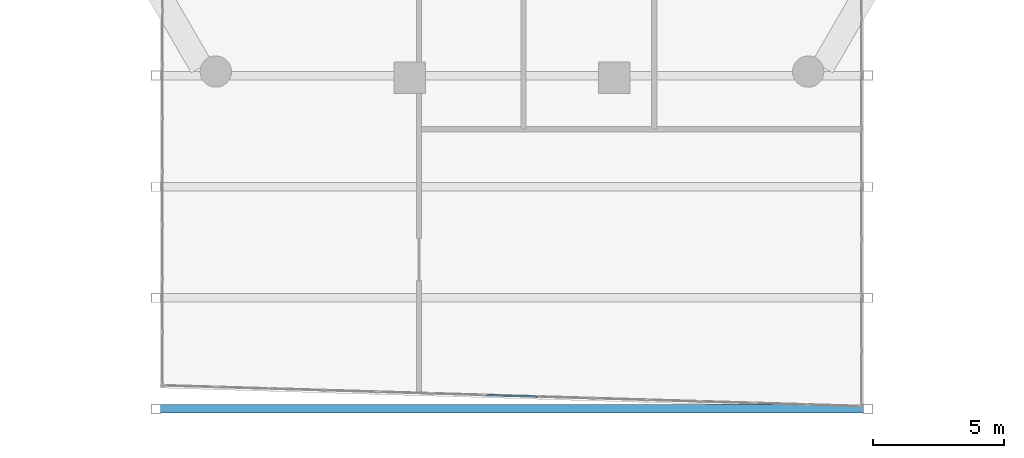
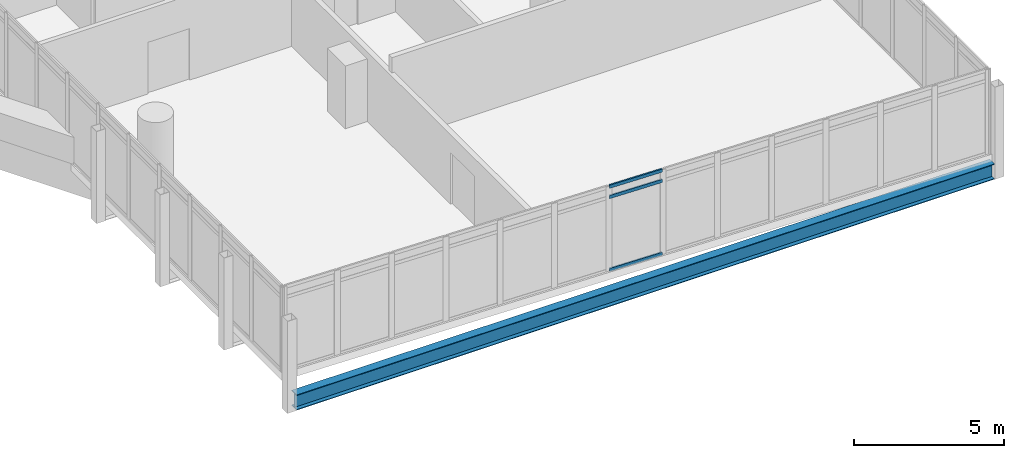
# One storey, part 4 of 38: 3 members, 1 beam, 1 element without a shape of its own.
"""IFC4 building model written with IfcOpenShell, lengths in metres."""

import ifcopenshell
import ifcopenshell.guid

model = None  # the IFC model being written
_history = None  # IfcOwnerHistory: only IFC2X3 demands one
_inside = {}  # id of a spatial element -> (the spatial element, [elements in it])
_under = {}  # id of a project, library or spatial element -> (it, [spatial elements below it])
_declared = {}  # id of a project -> (the project, [libraries it declares])
_typed = {}  # id of a type object -> (the type object, [elements of that type])
_made_of = {}  # id of a material, layer set ... -> (it, [elements and type objects made of it])


def new_model(schema):
    """Start an empty IFC model of exactly this schema.

    Asked for "IFC4X3", IfcOpenShell would pick the latest addendum, in which some entities
    have other attributes; the version numbers below select the first issue.
    IFC2X3 requires an IfcOwnerHistory on every rooted entity: one is made here for all.
    """
    global model, _history
    if schema == "IFC4X3":
        model = ifcopenshell.file(schema_version=(4, 3, 0, 0))
    else:
        model = ifcopenshell.file(schema=schema)
    _inside.clear()
    _under.clear()
    _declared.clear()
    _typed.clear()
    _made_of.clear()
    _history = None
    if model.schema == "IFC2X3":
        org = make("IfcOrganization", Name="unknown")
        user = make(
            "IfcPersonAndOrganization",
            ThePerson=make("IfcPerson", FamilyName="unknown"),
            TheOrganization=org,
        )
        app = make(
            "IfcApplication",
            ApplicationDeveloper=org,
            Version="unknown",
            ApplicationFullName="unknown",
            ApplicationIdentifier="unknown",
        )
        _history = make(
            "IfcOwnerHistory",
            OwningUser=user,
            OwningApplication=app,
            ChangeAction="ADDED",
            CreationDate=0,
        )
    return model


def make(cls, **values):
    """One entity of the class cls with the attributes given. An attribute that is None is left unset."""
    return model.create_entity(
        cls, **{name: value for name, value in values.items() if value is not None}
    )


def rooted(cls, **values):
    """An entity with a GlobalId (a new one), such as an element, a storey or a relation."""
    return make(cls, GlobalId=ifcopenshell.guid.new(), OwnerHistory=_history, **values)


def si_unit(unit_type, name, prefix=None):
    """IfcSIUnit, for example si_unit("LENGTHUNIT", "METRE", prefix="MILLI")."""
    return make("IfcSIUnit", UnitType=unit_type, Prefix=prefix, Name=name)


def assignment(units):
    """IfcUnitAssignment: the units of a project."""
    return None if units is None else make("IfcUnitAssignment", Units=units)


def point(xyz):
    """IfcCartesianPoint."""
    return None if xyz is None else make("IfcCartesianPoint", Coordinates=xyz)


def direction(xyz):
    """IfcDirection."""
    return None if xyz is None else make("IfcDirection", DirectionRatios=xyz)


def frame(location, z_axis=None, x_axis=None):
    """IfcAxis2Placement3D, a coordinate frame: its origin and axes. An axis left out is left unset."""
    return make(
        "IfcAxis2Placement3D",
        Location=point(location),
        Axis=direction(z_axis),
        RefDirection=direction(x_axis),
    )


def frame_2d(location, x_axis=None):
    """IfcAxis2Placement2D, a coordinate frame in the plane: its origin and x axis."""
    return make(
        "IfcAxis2Placement2D", Location=point(location), RefDirection=direction(x_axis)
    )


def origin():
    """The frame at (0, 0, 0) with its axes left unset."""
    return frame((0.0, 0.0, 0.0))


def origin_2d():
    """The frame at (0, 0) in the plane with its x axis left unset."""
    return frame_2d((0.0, 0.0))


def place(relative_to, where):
    """IfcLocalPlacement: puts the frame where relative to a parent placement (None: the world)."""
    return make(
        "IfcLocalPlacement", PlacementRelTo=relative_to, RelativePlacement=where
    )


def context(
    kind, dimensions, precision=None, world=None, true_north=None, identifier=None
):
    """IfcGeometricRepresentationContext, for example the 3D "Model" context."""
    return make(
        "IfcGeometricRepresentationContext",
        ContextIdentifier=identifier,
        ContextType=kind,
        CoordinateSpaceDimension=dimensions,
        Precision=precision,
        WorldCoordinateSystem=world,
        TrueNorth=true_north,
    )


def subcontext(parent, identifier, kind, view, scale=None):
    """IfcGeometricRepresentationSubContext, for example "Body" below "Model"."""
    return make(
        "IfcGeometricRepresentationSubContext",
        ContextIdentifier=identifier,
        ContextType=kind,
        ParentContext=parent,
        TargetScale=scale,
        TargetView=view,
    )


def project(units=None, contexts=None):
    """IfcProject with its units and contexts."""
    return rooted(
        "IfcProject",
        Name="project",
        RepresentationContexts=contexts,
        UnitsInContext=assignment(units),
    )


def spatial(cls, under=None, at=None, **own):
    """A site, building, storey or space (cls), placed at a placement, below another one or the project."""
    s = rooted(cls, ObjectPlacement=at, **own)
    if under is not None:
        _under.setdefault(under.id(), (under, []))[1].append(s)
    return s


def profile(cls, at=None, kind="AREA", **sizes):
    """A parametric profile (cls). Its sizes go by their IFC names, for example OverallWidth=200.0."""
    return make(cls, ProfileType=kind, Position=at, **sizes)


def hollow_rectangle(**sizes):
    """IfcRectangleHollowProfileDef."""
    return profile("IfcRectangleHollowProfileDef", **sizes)


def i_section(**sizes):
    """IfcIShapeProfileDef."""
    return profile("IfcIShapeProfileDef", **sizes)


def extrude(swept, where, along, depth):
    """IfcExtrudedAreaSolid: the profile swept, set in the frame where, extruded along a direction by depth."""
    return make(
        "IfcExtrudedAreaSolid",
        SweptArea=swept,
        Position=where,
        ExtrudedDirection=direction(along),
        Depth=depth,
    )


def shape(context_of_items, identifier, shape_type, items):
    """IfcShapeRepresentation: the items that make up one representation, for example the "Body"."""
    return make(
        "IfcShapeRepresentation",
        ContextOfItems=context_of_items,
        RepresentationIdentifier=identifier,
        RepresentationType=shape_type,
        Items=items,
    )


def material(Name=None, Category=None):
    """IfcMaterial."""
    return make("IfcMaterial", Name=Name, Category=Category)


def material_profile(
    of_material, cross_section, Name=None, Category=None, Priority=None
):
    """IfcMaterialProfile: a cross section and its material."""
    return make(
        "IfcMaterialProfile",
        Name=Name,
        Material=of_material,
        Profile=cross_section,
        Priority=Priority,
        Category=Category,
    )


def profile_set(profiles, Name=None, composite=None):
    """IfcMaterialProfileSet."""
    return make(
        "IfcMaterialProfileSet",
        Name=Name,
        MaterialProfiles=profiles,
        CompositeProfile=composite,
    )


def made_of(thing, what):
    """Note that an element or type object is made of a material, layer set ...; save() writes the relation."""
    if what is not None:
        _made_of.setdefault(what.id(), (what, []))[1].append(thing)
    return thing


def type_object(cls, material=None, **own):
    """A type object (cls), such as IfcWallType, which elements share."""
    return made_of(rooted(cls, **own), material)


def element(
    cls,
    number,
    at=None,
    inside=None,
    cuts=None,
    type_object=None,
    material=None,
    context=None,
    identifier="Body",
    shape_type=None,
    held_by="IfcProductDefinitionShape",
    body=None,
    shapes=None,
    **own,
):
    """One element of the class cls, such as IfcWall. Its Tag is "e" and its number.

    at: its placement. inside: the storey or other place that contains it. cuts: it is an
    opening in that element (IfcRelVoidsElement). A single representation is given by context,
    identifier, shape_type and body (its items); several are given by shapes. held_by: the class
    of the entity that holds the representations. save() writes the other relations.
    """
    e = rooted(cls, Tag="e%d" % number, ObjectPlacement=at, **own)
    if body is not None:
        shapes = [shape(context, identifier, shape_type, body)]
    if shapes is not None:
        e.Representation = make(held_by, Representations=shapes)
    if inside is not None:
        _inside.setdefault(inside.id(), (inside, []))[1].append(e)
    if cuts is not None:
        rooted(
            "IfcRelVoidsElement", RelatingBuildingElement=cuts, RelatedOpeningElement=e
        )
    if type_object is not None:
        _typed.setdefault(type_object.id(), (type_object, []))[1].append(e)
    return made_of(e, material)


def aggregate(whole, parts):
    """IfcRelAggregates: a whole, such as a stair, and the parts it consists of."""
    return rooted("IfcRelAggregates", RelatingObject=whole, RelatedObjects=parts)


def save(model, path):
    """Write the relations noted so far, then the file.

    IfcRelAggregates (storeys below a building ...), IfcRelContainedInSpatialStructure (elements
    in a storey), IfcRelDefinesByType, IfcRelAssociatesMaterial and IfcRelDeclares: one each for
    every whole, place, type object, material and project.
    """
    for whole, parts in _under.values():
        aggregate(whole, parts)
    for where, things in _inside.values():
        rooted(
            "IfcRelContainedInSpatialStructure",
            RelatedElements=things,
            RelatingStructure=where,
        )
    for kind, things in _typed.values():
        rooted("IfcRelDefinesByType", RelatedObjects=things, RelatingType=kind)
    for what, things in _made_of.values():
        rooted("IfcRelAssociatesMaterial", RelatedObjects=things, RelatingMaterial=what)
    for by, libraries in _declared.values():
        rooted("IfcRelDeclares", RelatingContext=by, RelatedDefinitions=libraries)
    model.write(path)


model = new_model("IFC4")

# Units and contexts
model_context = context("Model", 3, precision=1e-05, world=origin(), true_north=direction((0.0, 1.0)))
body_context = subcontext(model_context, "Body", "Model", "MODEL_VIEW")
ifc_project = project(units=[si_unit("LENGTHUNIT", "METRE"), si_unit("AREAUNIT", "SQUARE_METRE"), si_unit("VOLUMEUNIT", "CUBIC_METRE"), si_unit("PLANEANGLEUNIT", "RADIAN"), si_unit("MASSUNIT", "GRAM", prefix="KILO")], contexts=[model_context])

# Site, building, storey
site_placement = place(None, origin())
site = spatial("IfcSite", under=ifc_project, at=site_placement, CompositionType="ELEMENT")
building_placement = place(site_placement, origin())
building = spatial("IfcBuilding", under=site, at=building_placement, Name="Ostrander Bayou Hotel Tower", CompositionType="ELEMENT")
storey_placement = place(building_placement, frame((0.0, 0.0, 96.75)))
storey = spatial("IfcBuildingStorey", under=building, at=storey_placement, Name="L24", CompositionType="ELEMENT", Elevation=96.75)

# Curtain wall, members
ifc_material_1 = material(Name="Aluminium and clear glass", Category="aluminium")
curtain_wall_type = type_object("IfcCurtainWallType", Name="CW-BAR glazed wall", PredefinedType="NOTDEFINED", material=ifc_material_1)
curtain_wall_placement = place(storey_placement, origin())
curtain_wall = element("IfcCurtainWall", 1, at=curtain_wall_placement, inside=storey, type_object=curtain_wall_type, Name="CW-BAR L24:SB2S:T", PredefinedType="NOTDEFINED")
ifc_material_2 = material(Name="Aluminium", Category="aluminium")
ifc_material_profile_1 = material_profile(ifc_material_2, hollow_rectangle(XDim=0.06005859375, YDim=0.1298828125, WallThickness=0.00390625, at=origin_2d()))
ifc_profile_set_1 = profile_set([ifc_material_profile_1], Name="Aluminium")
member_type = type_object("IfcMemberType", Name="CW-BR transom 60 x 130 mm", PredefinedType="USERDEFINED", material=ifc_profile_set_1)
member_1_placement = place(storey_placement, frame((-0.998291015625, -31.67041015625, 0.030029296875), z_axis=(0.999558835181, -0.029700757758, 0.0), x_axis=(0.029700757758, 0.999558835181, 0.0)))
member_1 = element("IfcMember", 2, at=member_1_placement, type_object=member_type, Name="CW-BAR transom 7.1", ObjectType="TRANSOM", PredefinedType="USERDEFINED", context=body_context, shape_type="SweptSolid", body=[
    extrude(hollow_rectangle(XDim=0.06005859375, YDim=0.1298828125, WallThickness=0.00390625, at=origin_2d()), origin(), (0.0, 0.0, 1.0), 1.99755859375),
])
member_2_placement = place(storey_placement, frame((-0.998291015625, -31.67041015625, 3.0), z_axis=(0.999558835181, -0.029700757758, 0.0), x_axis=(0.029700757758, 0.999558835181, 0.0)))
member_2 = element("IfcMember", 3, at=member_2_placement, type_object=member_type, Name="CW-BAR transom 7.2", ObjectType="TRANSOM", PredefinedType="USERDEFINED", context=body_context, shape_type="SweptSolid", body=[
    extrude(hollow_rectangle(XDim=0.06005859375, YDim=0.1298828125, WallThickness=0.00390625, at=origin_2d()), origin(), (0.0, 0.0, 1.0), 1.99755859375),
])
member_3_placement = place(storey_placement, frame((-0.998291015625, -31.67041015625, 3.419921875), z_axis=(0.999558835181, -0.029700757758, 0.0), x_axis=(0.029700757758, 0.999558835181, 0.0)))
member_3 = element("IfcMember", 4, at=member_3_placement, type_object=member_type, Name="CW-BAR transom 7.3", ObjectType="TRANSOM", PredefinedType="USERDEFINED", context=body_context, shape_type="SweptSolid", body=[
    extrude(hollow_rectangle(XDim=0.06005859375, YDim=0.1298828125, WallThickness=0.00390625, at=origin_2d()), origin(), (0.0, 0.0, 1.0), 1.99755859375),
])
aggregate(curtain_wall, [member_1, member_2, member_3])

# Beam
ifc_material_3 = material(Name="Steel ASTM A992", Category="steel")
ifc_material_profile_2 = material_profile(ifc_material_3, i_section(OverallWidth=0.32763671875, OverallDepth=0.621826171875, WebThickness=0.015380859375, FlangeThickness=0.0244140625, at=origin_2d()))
ifc_profile_set_2 = profile_set([ifc_material_profile_2], Name="Steel ASTM A992")
beam_type = type_object("IfcBeamType", Name="TF1 bar floor beam W24x131", PredefinedType="BEAM", material=ifc_profile_set_2)
beam_placement = place(storey_placement, frame((-13.442138671875, -32.199951171875, -0.61083984375), z_axis=(1.0, 0.0, 0.0), x_axis=(0.0, 1.0, 0.0)))
element("IfcBeam", 5, at=beam_placement, inside=storey, type_object=beam_type, Name="TF1 SB2S L2-4", PredefinedType="BEAM", context=body_context, shape_type="SweptSolid", body=[
    extrude(i_section(OverallWidth=0.32763671875, OverallDepth=0.621826171875, WebThickness=0.015380859375, FlangeThickness=0.0244140625, at=origin_2d()), origin(), (0.0, 0.0, 1.0), 26.88427734375),
])

save(model, "model.ifc")
